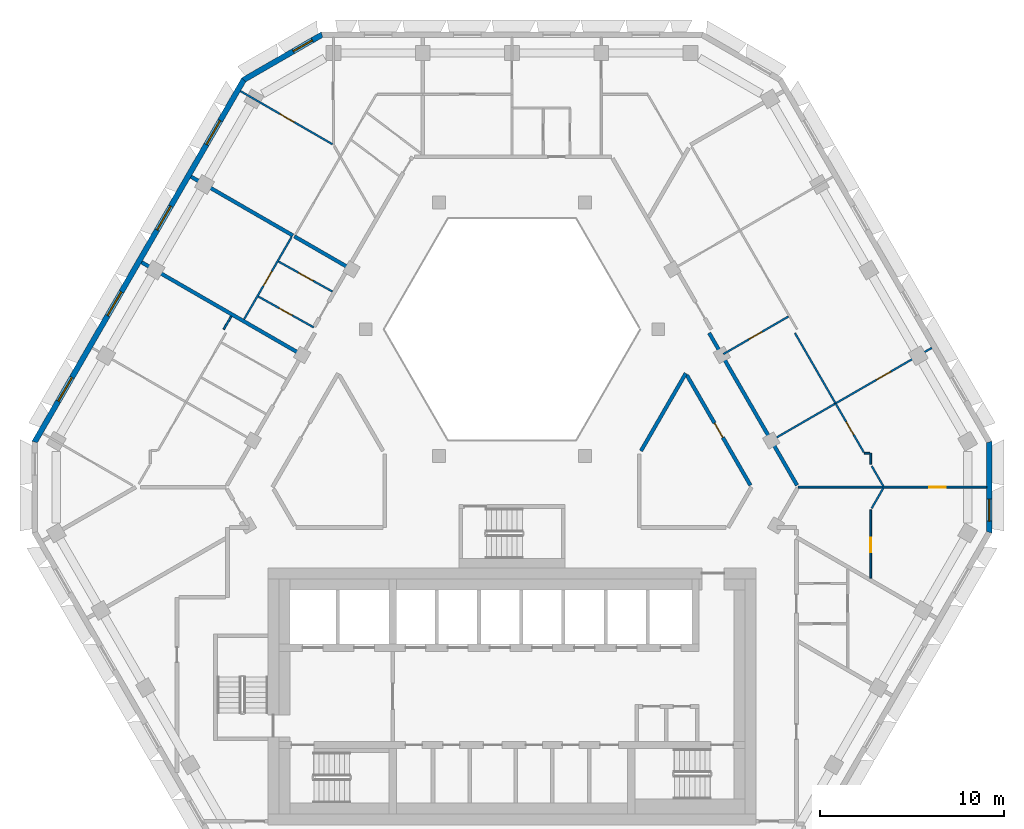
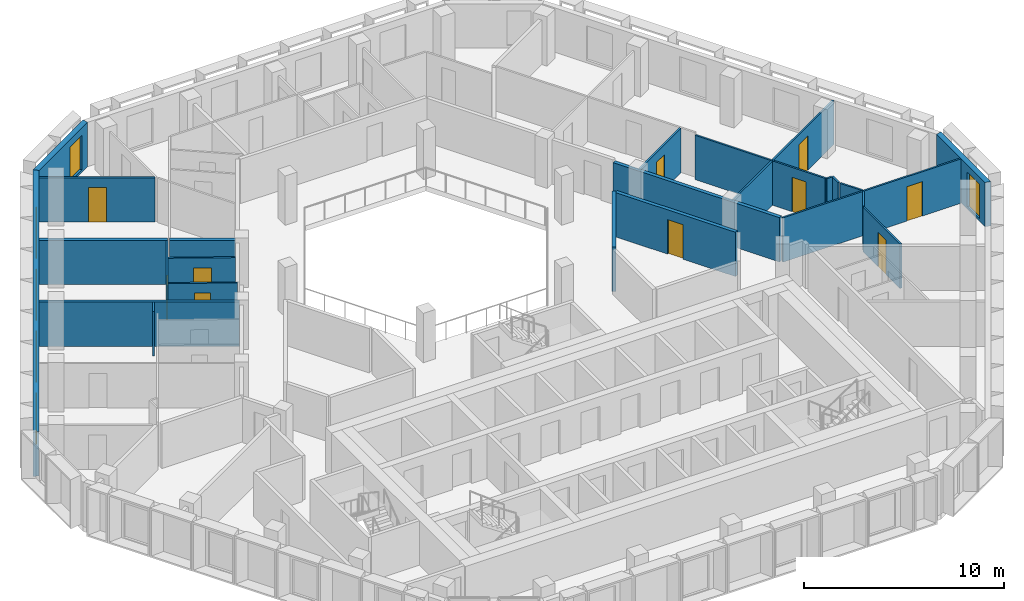
# One storey, part 6 of 15: 24 walls, 10 doors, 6 windows, 16 openings.
"""IFC4 building model written with IfcOpenShell, lengths in metres."""

from ifc_helpers import new_model, si_unit, direction, frame, frame_2d, origin, place, context, subcontext, project, spatial, polyline, rectangle, outline, extrude, material, layer, layer_set, type_object, element, fill, save


model = new_model("IFC4")

# Units and contexts
model_context = context("Model", 3, precision=1e-05, world=origin(), true_north=direction((0.0, 1.0)))
body_context = subcontext(model_context, "Body", "Model", "MODEL_VIEW")
ifc_project = project(units=[si_unit("LENGTHUNIT", "METRE"), si_unit("AREAUNIT", "SQUARE_METRE"), si_unit("VOLUMEUNIT", "CUBIC_METRE"), si_unit("PLANEANGLEUNIT", "RADIAN"), si_unit("MASSUNIT", "GRAM", prefix="KILO")], contexts=[model_context])

# Site, building, storey
site_placement = place(None, origin())
site = spatial("IfcSite", under=ifc_project, at=site_placement, CompositionType="ELEMENT")
building_placement = place(site_placement, origin())
building = spatial("IfcBuilding", under=site, at=building_placement, Name="Beryl Residences", CompositionType="ELEMENT")
storey_placement = place(building_placement, frame((0.0, 0.0, 175.199951171875)))
storey = spatial("IfcBuildingStorey", under=building, at=storey_placement, Name="L53", CompositionType="ELEMENT", Elevation=175.199951171875)

# Wall, opening, window
ifc_material_1 = material(Name="Composite metal panel with mineral wool insulation")
ifc_layer_1 = layer(ifc_material_1, 0.300048828125)
ifc_layer_set_1 = layer_set([ifc_layer_1], Name="ES1 pale metal composite panel wall 300 mm")
wall_type_1 = type_object("IfcWallType", Name="ES1 pale metal composite panel wall 300 mm", PredefinedType="SOLIDWALL", material=ifc_layer_set_1)
wall_1_placement = place(storey_placement, frame((-10.31689453125, 24.070068359375, 0.0), z_axis=(0.0, 0.0, 1.0), x_axis=(-0.866022959057, -0.500004234368, 0.0)))
wall_1 = element("IfcWall", 1, at=wall_1_placement, inside=storey, type_object=wall_type_1, Name="ES1 external wall L53 N-NW", PredefinedType="SOLIDWALL", context=body_context, shape_type="SweptSolid", body=[
    extrude(outline(polyline([(0.0, -0.14990234375), (5.0, -0.14990234375), (4.919677734375, 0.14990234375), (0.080322265625, 0.14990234375), (0.0, -0.14990234375)])), origin(), (0.0, 0.0, 1.0), 2.699951171875),
])
opening_1_placement = place(wall_1_placement, frame((0.64990234375, 0.0, 0.14990234375)))
opening_1 = element("IfcOpeningElement", 2, at=opening_1_placement, cuts=wall_1, Name="Opening W2", PredefinedType="OPENING", context=body_context, shape_type="SweptSolid", body=[
    extrude(rectangle(XDim=1.199951171875, YDim=2.10009765625, at=frame_2d((0.60009765625, 1.050048828125))), frame((0.0, 0.159912109375, 0.0), z_axis=(0.0, -1.0, 0.0), x_axis=(1.0, 0.0, 0.0)), (0.0, 0.0, 1.0), 0.320068359375),
])
ifc_material_2 = material(Name="Aluminium and clear glass", Category="aluminium")
window_type_1 = type_object("IfcWindowType", Name="W2 chamfer window 1200 x 2100 mm", PartitioningType="SINGLE_PANEL", PredefinedType="WINDOW", material=ifc_material_2)
window_1_placement = place(opening_1_placement, origin())
window_1 = element("IfcWindow", 3, at=window_1_placement, inside=storey, type_object=window_type_1, Name="W2 window L53 N-NW 1", OverallHeight=2.10009765625, OverallWidth=1.199951171875, PartitioningType="SINGLE_PANEL", PredefinedType="WINDOW", context=body_context, shape_type="SweptSolid", body=[
    extrude(rectangle(XDim=1.199951171875, YDim=2.10009765625, at=frame_2d((0.60009765625, 1.050048828125))), frame((0.0, 0.030029296875, 0.0), z_axis=(0.0, -1.0, 0.0), x_axis=(1.0, 0.0, 0.0)), (0.0, 0.0, 1.0), 0.06005859375),
])
fill(opening_1, window_1)

# Wall, openings, windows
wall_2_placement = place(storey_placement, frame((-14.592041015625, 21.625, 0.0), z_axis=(0.0, 0.0, 1.0), x_axis=(-0.500010537973, -0.866019319597, 0.0)))
wall_2 = element("IfcWall", 4, at=wall_2_placement, inside=storey, type_object=wall_type_1, Name="ES1 external wall L53 NW", PredefinedType="SOLIDWALL", context=body_context, shape_type="SweptSolid", body=[
    extrude(outline(polyline([(0.0, -0.14990234375), (22.86328125, -0.14990234375), (22.782958984375, 0.14990234375), (0.080322265625, 0.14990234375), (0.0, -0.14990234375)])), origin(), (0.0, 0.0, 1.0), 2.699951171875),
])
opening_2_placement = place(wall_2_placement, frame((2.60595703125, 0.0, 0.14990234375)))
opening_2 = element("IfcOpeningElement", 5, at=opening_2_placement, cuts=wall_2, Name="Opening W1", PredefinedType="OPENING", context=body_context, shape_type="SweptSolid", body=[
    extrude(rectangle(XDim=1.5, YDim=2.10009765625, at=frame_2d((0.75, 1.050048828125))), frame((0.0, 0.159912109375, 0.0), z_axis=(0.0, -1.0, 0.0), x_axis=(1.0, 0.0, 0.0)), (0.0, 0.0, 1.0), 0.320068359375),
])
opening_3_placement = place(wall_2_placement, frame((7.989990234375, 0.0, 0.14990234375)))
opening_3 = element("IfcOpeningElement", 6, at=opening_3_placement, cuts=wall_2, Name="Opening W1", PredefinedType="OPENING", context=body_context, shape_type="SweptSolid", body=[
    extrude(rectangle(XDim=1.5, YDim=2.10009765625, at=frame_2d((0.75, 1.050048828125))), frame((0.0, 0.159912109375, 0.0), z_axis=(0.0, -1.0, 0.0), x_axis=(1.0, 0.0, 0.0)), (0.0, 0.0, 1.0), 0.320068359375),
])
opening_4_placement = place(wall_2_placement, frame((13.373046875, 0.0, 0.14990234375)))
opening_4 = element("IfcOpeningElement", 7, at=opening_4_placement, cuts=wall_2, Name="Opening W1", PredefinedType="OPENING", context=body_context, shape_type="SweptSolid", body=[
    extrude(rectangle(XDim=1.5, YDim=2.10009765625, at=frame_2d((0.75, 1.050048828125))), frame((0.0, 0.159912109375, 0.0), z_axis=(0.0, -1.0, 0.0), x_axis=(1.0, 0.0, 0.0)), (0.0, 0.0, 1.0), 0.320068359375),
])
opening_5_placement = place(wall_2_placement, frame((18.758056640625, 0.0, 0.14990234375)))
opening_5 = element("IfcOpeningElement", 8, at=opening_5_placement, cuts=wall_2, Name="Opening W1", PredefinedType="OPENING", context=body_context, shape_type="SweptSolid", body=[
    extrude(rectangle(XDim=1.5, YDim=2.10009765625, at=frame_2d((0.75, 1.050048828125))), frame((0.0, 0.159912109375, 0.0), z_axis=(0.0, -1.0, 0.0), x_axis=(1.0, 0.0, 0.0)), (0.0, 0.0, 1.0), 0.320068359375),
])
ifc_material_3 = material(Name="Aluminium and clear glass", Category="aluminium")
window_type_2 = type_object("IfcWindowType", Name="W1 cell window 1500 x 2100 mm", PartitioningType="SINGLE_PANEL", PredefinedType="WINDOW", material=ifc_material_3)
window_2_placement = place(opening_2_placement, origin())
window_2 = element("IfcWindow", 9, at=window_2_placement, inside=storey, type_object=window_type_2, Name="W1 window L53 NW 2", OverallHeight=2.10009765625, OverallWidth=1.5, PartitioningType="SINGLE_PANEL", PredefinedType="WINDOW", context=body_context, shape_type="SweptSolid", body=[
    extrude(rectangle(XDim=1.5, YDim=2.10009765625, at=frame_2d((0.75, 1.050048828125))), frame((0.0, 0.030029296875, 0.0), z_axis=(0.0, -1.0, 0.0), x_axis=(1.0, 0.0, 0.0)), (0.0, 0.0, 1.0), 0.06005859375),
])
fill(opening_2, window_2)
window_3_placement = place(opening_3_placement, origin())
window_3 = element("IfcWindow", 10, at=window_3_placement, inside=storey, type_object=window_type_2, Name="W1 window L53 NW 4", OverallHeight=2.10009765625, OverallWidth=1.5, PartitioningType="SINGLE_PANEL", PredefinedType="WINDOW", context=body_context, shape_type="SweptSolid", body=[
    extrude(rectangle(XDim=1.5, YDim=2.10009765625, at=frame_2d((0.75, 1.050048828125))), frame((0.0, 0.030029296875, 0.0), z_axis=(0.0, -1.0, 0.0), x_axis=(1.0, 0.0, 0.0)), (0.0, 0.0, 1.0), 0.06005859375),
])
fill(opening_3, window_3)
window_4_placement = place(opening_4_placement, origin())
window_4 = element("IfcWindow", 11, at=window_4_placement, inside=storey, type_object=window_type_2, Name="W1 window L53 NW 6", OverallHeight=2.10009765625, OverallWidth=1.5, PartitioningType="SINGLE_PANEL", PredefinedType="WINDOW", context=body_context, shape_type="SweptSolid", body=[
    extrude(rectangle(XDim=1.5, YDim=2.10009765625, at=frame_2d((0.75, 1.050048828125))), frame((0.0, 0.030029296875, 0.0), z_axis=(0.0, -1.0, 0.0), x_axis=(1.0, 0.0, 0.0)), (0.0, 0.0, 1.0), 0.06005859375),
])
fill(opening_4, window_4)
window_5_placement = place(opening_5_placement, origin())
window_5 = element("IfcWindow", 12, at=window_5_placement, inside=storey, type_object=window_type_2, Name="W1 window L53 NW 8", OverallHeight=2.10009765625, OverallWidth=1.5, PartitioningType="SINGLE_PANEL", PredefinedType="WINDOW", context=body_context, shape_type="SweptSolid", body=[
    extrude(rectangle(XDim=1.5, YDim=2.10009765625, at=frame_2d((0.75, 1.050048828125))), frame((0.0, 0.030029296875, 0.0), z_axis=(0.0, -1.0, 0.0), x_axis=(1.0, 0.0, 0.0)), (0.0, 0.0, 1.0), 0.06005859375),
])
fill(opening_5, window_5)

# Wall, opening, window
wall_3_placement = place(storey_placement, frame((26.00390625, -3.10009765625, 0.0), z_axis=(0.0, 0.0, 1.0), x_axis=(0.0, 1.0, 0.0)))
wall_3 = element("IfcWall", 13, at=wall_3_placement, inside=storey, type_object=wall_type_1, Name="ES1 external wall L53 SE-NE", PredefinedType="SOLIDWALL", context=body_context, shape_type="SweptSolid", body=[
    extrude(outline(polyline([(0.0, -0.14990234375), (5.0, -0.14990234375), (4.919677734375, 0.14990234375), (0.080322265625, 0.14990234375), (0.0, -0.14990234375)])), origin(), (0.0, 0.0, 1.0), 2.699951171875),
])
opening_6_placement = place(wall_3_placement, frame((0.64990234375, 0.0, 0.14990234375)))
opening_6 = element("IfcOpeningElement", 14, at=opening_6_placement, cuts=wall_3, Name="Opening W2", PredefinedType="OPENING", context=body_context, shape_type="SweptSolid", body=[
    extrude(rectangle(XDim=1.199951171875, YDim=2.10009765625, at=frame_2d((0.60009765625, 1.050048828125))), frame((0.0, 0.159912109375, 0.0), z_axis=(0.0, -1.0, 0.0), x_axis=(1.0, 0.0, 0.0)), (0.0, 0.0, 1.0), 0.320068359375),
])
window_6_placement = place(opening_6_placement, origin())
window_6 = element("IfcWindow", 15, at=window_6_placement, inside=storey, type_object=window_type_1, Name="W2 window L53 SE-NE 1", OverallHeight=2.10009765625, OverallWidth=1.199951171875, PartitioningType="SINGLE_PANEL", PredefinedType="WINDOW", context=body_context, shape_type="SweptSolid", body=[
    extrude(rectangle(XDim=1.199951171875, YDim=2.10009765625, at=frame_2d((0.60009765625, 1.050048828125))), frame((0.0, 0.030029296875, 0.0), z_axis=(0.0, -1.0, 0.0), x_axis=(1.0, 0.0, 0.0)), (0.0, 0.0, 1.0), 0.06005859375),
])
fill(opening_6, window_6)

# Walls
ifc_material_4 = material(Name="Gypsum board partition on steel studs", Category="steel")
ifc_layer_2 = layer(ifc_material_4, 0.10009765625)
ifc_layer_set_2 = layer_set([ifc_layer_2], Name="PT1 partition 100 mm gypsum board on steel studs")
wall_type_2 = type_object("IfcWallType", Name="PT1 partition 100 mm gypsum board on steel studs", PredefinedType="PARTITIONING", material=ifc_layer_set_2)
wall_4_placement = place(storey_placement, frame((15.412109375, 7.800048828125, 0.0), z_axis=(0.0, 0.0, 1.0), x_axis=(0.499882970317, -0.866092960361, 0.0)))
element("IfcWall", 16, at=wall_4_placement, inside=storey, type_object=wall_type_2, Name="Wall PT1 L53 003", PredefinedType="PARTITIONING", context=body_context, shape_type="SweptSolid", body=[
    extrude(rectangle(XDim=4.4326171875, YDim=0.10009765625, at=frame_2d((2.21630859375, 0.0))), origin(), (0.0, 0.0, 1.0), 2.699951171875),
])
wall_5_placement = place(storey_placement, frame((19.596923828125, 0.551025390625, 0.0), z_axis=(0.0, 0.0, 1.0), x_axis=(0.499922110319, -0.866070368743, 0.0)))
element("IfcWall", 17, at=wall_5_placement, inside=storey, type_object=wall_type_2, Name="Wall PT1 L53 004", PredefinedType="PARTITIONING", context=body_context, shape_type="SweptSolid", body=[
    extrude(rectangle(XDim=1.270263671875, YDim=0.10009765625, at=frame_2d((0.63525390625, 0.0))), origin(), (0.0, 0.0, 1.0), 2.699951171875),
])

# Wall, opening, door
wall_6_placement = place(storey_placement, frame((-12.720947265625, 11.69189453125, 0.0), z_axis=(0.0, 0.0, 1.0), x_axis=(0.873557394398, -0.486721150859, 0.0)))
wall_6 = element("IfcWall", 18, at=wall_6_placement, inside=storey, type_object=wall_type_2, Name="Wall PT1 L53 008", PredefinedType="PARTITIONING", context=body_context, shape_type="SweptSolid", body=[
    extrude(rectangle(XDim=3.36328125, YDim=0.10009765625, at=frame_2d((1.681640625, 0.0))), origin(), (0.0, 0.0, 1.0), 2.699951171875),
])
opening_7_placement = place(wall_6_placement, frame((1.257080078125, 0.0, 0.0)))
opening_7 = element("IfcOpeningElement", 19, at=opening_7_placement, cuts=wall_6, Name="Opening D1640", PredefinedType="OPENING", context=body_context, shape_type="SweptSolid", body=[
    extrude(rectangle(XDim=0.89990234375, YDim=2.10009765625, at=frame_2d((0.449951171875, 1.050048828125))), frame((0.0, 0.06005859375, 0.0), z_axis=(0.0, -1.0, 0.0), x_axis=(1.0, 0.0, 0.0)), (0.0, 0.0, 1.0), 0.1201171875),
])
ifc_material_5 = material(Name="Timber door leaf", Category="wood")
door_type_1 = type_object("IfcDoorType", Name="D2 room door 900 x 2100 mm", OperationType="SINGLE_SWING_LEFT", PredefinedType="DOOR", material=ifc_material_5)
door_1_placement = place(opening_7_placement, origin())
door_1 = element("IfcDoor", 20, at=door_1_placement, inside=storey, type_object=door_type_1, Name="Door D1640 L53 001", OperationType="SINGLE_SWING_RIGHT", OverallHeight=2.10009765625, OverallWidth=0.89990234375, PredefinedType="DOOR", context=body_context, shape_type="SweptSolid", body=[
    extrude(rectangle(XDim=0.89990234375, YDim=2.10009765625, at=frame_2d((0.449951171875, 1.050048828125))), frame((0.0, 0.02490234375, 0.0), z_axis=(0.0, -1.0, 0.0), x_axis=(1.0, 0.0, 0.0)), (0.0, 0.0, 1.0), 0.050048828125),
])
fill(opening_7, door_1)

wall_7_placement = place(storey_placement, frame((-13.821044921875, 9.785888671875, 0.0), z_axis=(0.0, 0.0, 1.0), x_axis=(0.873644620966, -0.486564565353, 0.0)))
wall_7 = element("IfcWall", 21, at=wall_7_placement, inside=storey, type_object=wall_type_2, Name="Wall PT1 L53 009", PredefinedType="PARTITIONING", context=body_context, shape_type="SweptSolid", body=[
    extrude(rectangle(XDim=3.462646484375, YDim=0.10009765625, at=frame_2d((1.7314453125, 0.0))), origin(), (0.0, 0.0, 1.0), 2.699951171875),
])
opening_8_placement = place(wall_7_placement, frame((1.306884765625, 0.0, 0.0)))
opening_8 = element("IfcOpeningElement", 22, at=opening_8_placement, cuts=wall_7, Name="Opening D1639", PredefinedType="OPENING", context=body_context, shape_type="SweptSolid", body=[
    extrude(rectangle(XDim=0.800048828125, YDim=2.10009765625, at=frame_2d((0.39990234375, 1.050048828125))), frame((0.0, 0.06005859375, 0.0), z_axis=(0.0, -1.0, 0.0), x_axis=(1.0, 0.0, 0.0)), (0.0, 0.0, 1.0), 0.1201171875),
])
ifc_material_6 = material(Name="Timber door leaf", Category="wood")
door_type_2 = type_object("IfcDoorType", Name="D3 bathroom door 800 x 2100 mm", OperationType="SINGLE_SWING_LEFT", PredefinedType="DOOR", material=ifc_material_6)
door_2_placement = place(opening_8_placement, origin())
door_2 = element("IfcDoor", 23, at=door_2_placement, inside=storey, type_object=door_type_2, Name="Door D1639 L53 001", OperationType="SINGLE_SWING_LEFT", OverallHeight=2.10009765625, OverallWidth=0.800048828125, PredefinedType="DOOR", context=body_context, shape_type="SweptSolid", body=[
    extrude(rectangle(XDim=0.800048828125, YDim=2.10009765625, at=frame_2d((0.39990234375, 1.050048828125))), frame((0.0, 0.02490234375, 0.0), z_axis=(0.0, -1.0, 0.0), x_axis=(1.0, 0.0, 0.0)), (0.0, 0.0, 1.0), 0.050048828125),
])
fill(opening_8, door_2)

wall_8_placement = place(storey_placement, frame((-14.7939453125, 20.97509765625, 0.0), z_axis=(0.0, 0.0, 1.0), x_axis=(0.866019221245, -0.500010708319, 0.0)))
wall_8 = element("IfcWall", 24, at=wall_8_placement, inside=storey, type_object=wall_type_2, Name="Wall PT1 L53 014", PredefinedType="PARTITIONING", context=body_context, shape_type="SweptSolid", body=[
    extrude(rectangle(XDim=5.791748046875, YDim=0.10009765625, at=frame_2d((2.89599609375, 0.0))), origin(), (0.0, 0.0, 1.0), 2.699951171875),
])
opening_9_placement = place(wall_8_placement, frame((2.47509765625, 0.0, 0.0)))
opening_9 = element("IfcOpeningElement", 25, at=opening_9_placement, cuts=wall_8, Name="Opening D1636", PredefinedType="OPENING", context=body_context, shape_type="SweptSolid", body=[
    extrude(rectangle(XDim=0.89990234375, YDim=2.10009765625, at=frame_2d((0.449951171875, 1.050048828125))), frame((0.0, 0.06005859375, 0.0), z_axis=(0.0, -1.0, 0.0), x_axis=(1.0, 0.0, 0.0)), (0.0, 0.0, 1.0), 0.1201171875),
])
door_3_placement = place(opening_9_placement, origin())
door_3 = element("IfcDoor", 26, at=door_3_placement, inside=storey, type_object=door_type_1, Name="Door D1636 L53 001", OperationType="SINGLE_SWING_RIGHT", OverallHeight=2.10009765625, OverallWidth=0.89990234375, PredefinedType="DOOR", context=body_context, shape_type="SweptSolid", body=[
    extrude(rectangle(XDim=0.89990234375, YDim=2.10009765625, at=frame_2d((0.449951171875, 1.050048828125))), frame((0.0, 0.02490234375, 0.0), z_axis=(0.0, -1.0, 0.0), x_axis=(1.0, 0.0, 0.0)), (0.0, 0.0, 1.0), 0.050048828125),
])
fill(opening_9, door_3)

wall_9_placement = place(storey_placement, frame((15.587890625, -0.59912109375, 0.0), z_axis=(0.0, 0.0, 1.0), x_axis=(1.0, 0.0, 0.0)))
wall_9 = element("IfcWall", 27, at=wall_9_placement, inside=storey, type_object=wall_type_2, Name="Wall PT1 L53 018", PredefinedType="PARTITIONING", context=body_context, shape_type="SweptSolid", body=[
    extrude(rectangle(XDim=10.26611328125, YDim=0.10009765625, at=frame_2d((5.133056640625, 0.0))), origin(), (0.0, 0.0, 1.0), 2.699951171875),
])
opening_10_placement = place(wall_9_placement, frame((7.135009765625, 0.0, 0.0)))
opening_10 = element("IfcOpeningElement", 28, at=opening_10_placement, cuts=wall_9, Name="Opening D1621", PredefinedType="OPENING", context=body_context, shape_type="SweptSolid", body=[
    extrude(rectangle(XDim=0.89990234375, YDim=2.10009765625, at=frame_2d((0.449951171875, 1.050048828125))), frame((0.0, 0.06005859375, 0.0), z_axis=(0.0, -1.0, 0.0), x_axis=(1.0, 0.0, 0.0)), (0.0, 0.0, 1.0), 0.1201171875),
])
door_4_placement = place(opening_10_placement, origin())
door_4 = element("IfcDoor", 29, at=door_4_placement, inside=storey, type_object=door_type_1, Name="Door D1621 L53 001", OperationType="SINGLE_SWING_LEFT", OverallHeight=2.10009765625, OverallWidth=0.89990234375, PredefinedType="DOOR", context=body_context, shape_type="SweptSolid", body=[
    extrude(rectangle(XDim=0.89990234375, YDim=2.10009765625, at=frame_2d((0.449951171875, 1.050048828125))), frame((0.0, 0.02490234375, 0.0), z_axis=(0.0, -1.0, 0.0), x_axis=(1.0, 0.0, 0.0)), (0.0, 0.0, 1.0), 0.050048828125),
])
fill(opening_10, door_4)

# Walls
wall_10_placement = place(storey_placement, frame((19.195068359375, 1.2470703125, 0.0), z_axis=(0.0, 0.0, 1.0), x_axis=(1.0, 0.0, 0.0)))
element("IfcWall", 30, at=wall_10_placement, inside=storey, type_object=wall_type_2, Name="Wall PT1 L53 020", PredefinedType="PARTITIONING", context=body_context, shape_type="SweptSolid", body=[
    extrude(rectangle(XDim=0.302001953125, YDim=0.10009765625, at=frame_2d((0.15087890625, 0.0))), origin(), (0.0, 0.0, 1.0), 2.699951171875),
])
wall_11_placement = place(storey_placement, frame((19.596923828125, -1.75, 0.0), z_axis=(0.0, 0.0, 1.0), x_axis=(0.499589422776, 0.866262320923, 0.0)))
element("IfcWall", 31, at=wall_11_placement, inside=storey, type_object=wall_type_2, Name="Wall PT1 L53 025", PredefinedType="PARTITIONING", context=body_context, shape_type="SweptSolid", body=[
    extrude(rectangle(XDim=1.27099609375, YDim=0.10009765625, at=frame_2d((0.635498046875, 0.0))), origin(), (0.0, 0.0, 1.0), 2.699951171875),
])

# Wall, opening, door
wall_12_placement = place(storey_placement, frame((-14.596923828125, 8.54296875, 0.0), z_axis=(0.0, 0.0, 1.0), x_axis=(0.499962957901, 0.866046788994, 0.0)))
wall_12 = element("IfcWall", 32, at=wall_12_placement, inside=storey, type_object=wall_type_2, Name="Wall PT1 L53 027", PredefinedType="PARTITIONING", context=body_context, shape_type="SweptSolid", body=[
    extrude(rectangle(XDim=5.1845703125, YDim=0.10009765625, at=frame_2d((2.59228515625, 0.0))), origin(), (0.0, 0.0, 1.0), 2.699951171875),
])
opening_11_placement = place(wall_12_placement, frame((2.113037109375, 0.0, 0.0)))
opening_11 = element("IfcOpeningElement", 33, at=opening_11_placement, cuts=wall_12, Name="Opening D1641", PredefinedType="OPENING", context=body_context, shape_type="SweptSolid", body=[
    extrude(rectangle(XDim=0.89990234375, YDim=2.10009765625, at=frame_2d((0.449951171875, 1.050048828125))), frame((0.0, 0.06005859375, 0.0), z_axis=(0.0, -1.0, 0.0), x_axis=(1.0, 0.0, 0.0)), (0.0, 0.0, 1.0), 0.1201171875),
])
door_5_placement = place(opening_11_placement, origin())
door_5 = element("IfcDoor", 34, at=door_5_placement, inside=storey, type_object=door_type_1, Name="Door D1641 L53 001", OperationType="SINGLE_SWING_LEFT", OverallHeight=2.10009765625, OverallWidth=0.89990234375, PredefinedType="DOOR", context=body_context, shape_type="SweptSolid", body=[
    extrude(rectangle(XDim=0.89990234375, YDim=2.10009765625, at=frame_2d((0.449951171875, 1.050048828125))), frame((0.0, 0.02490234375, 0.0), z_axis=(0.0, -1.0, 0.0), x_axis=(1.0, 0.0, 0.0)), (0.0, 0.0, 1.0), 0.050048828125),
])
fill(opening_11, door_5)

# Wall
wall_13_placement = place(storey_placement, frame((-15.7041015625, 8.0, 0.0), z_axis=(0.0, 0.0, 1.0), x_axis=(0.499833531678, 0.866121492985, 0.0)))
element("IfcWall", 35, at=wall_13_placement, inside=storey, type_object=wall_type_2, Name="Wall PT1 L53 030", PredefinedType="PARTITIONING", context=body_context, shape_type="SweptSolid", body=[
    extrude(rectangle(XDim=0.824462890625, YDim=0.10009765625, at=frame_2d((0.412109375, 0.0))), origin(), (0.0, 0.0, 1.0), 2.699951171875),
])

# Wall, opening, door
wall_14_placement = place(storey_placement, frame((19.547119140625, -5.554931640625, 0.0), z_axis=(0.0, 0.0, 1.0), x_axis=(0.0, 1.0, 0.0)))
wall_14 = element("IfcWall", 36, at=wall_14_placement, inside=storey, type_object=wall_type_2, Name="Wall PT1 L53 034", PredefinedType="PARTITIONING", context=body_context, shape_type="SweptSolid", body=[
    extrude(rectangle(XDim=3.718994140625, YDim=0.10009765625, at=frame_2d((1.859375, 0.0))), origin(), (0.0, 0.0, 1.0), 2.699951171875),
])
opening_12_placement = place(wall_14_placement, frame((1.402099609375, 0.0, 0.0)))
opening_12 = element("IfcOpeningElement", 37, at=opening_12_placement, cuts=wall_14, Name="Opening D1623", PredefinedType="OPENING", context=body_context, shape_type="SweptSolid", body=[
    extrude(rectangle(XDim=0.800048828125, YDim=2.10009765625, at=frame_2d((0.39990234375, 1.050048828125))), frame((0.0, 0.06005859375, 0.0), z_axis=(0.0, -1.0, 0.0), x_axis=(1.0, 0.0, 0.0)), (0.0, 0.0, 1.0), 0.1201171875),
])
door_6_placement = place(opening_12_placement, origin())
door_6 = element("IfcDoor", 38, at=door_6_placement, inside=storey, type_object=door_type_2, Name="Door D1623 L53 001", OperationType="SINGLE_SWING_LEFT", OverallHeight=2.10009765625, OverallWidth=0.800048828125, PredefinedType="DOOR", context=body_context, shape_type="SweptSolid", body=[
    extrude(rectangle(XDim=0.800048828125, YDim=2.10009765625, at=frame_2d((0.39990234375, 1.050048828125))), frame((0.0, 0.02490234375, 0.0), z_axis=(0.0, -1.0, 0.0), x_axis=(1.0, 0.0, 0.0)), (0.0, 0.0, 1.0), 0.050048828125),
])
fill(opening_12, door_6)

# Wall
wall_15_placement = place(storey_placement, frame((19.547119140625, 0.637939453125, 0.0), z_axis=(0.0, 0.0, 1.0), x_axis=(0.0, 1.0, 0.0)))
element("IfcWall", 39, at=wall_15_placement, inside=storey, type_object=wall_type_2, Name="Wall PT1 L53 035", PredefinedType="PARTITIONING", context=body_context, shape_type="SweptSolid", body=[
    extrude(rectangle(XDim=0.609130859375, YDim=0.10009765625, at=frame_2d((0.3046875, 0.0))), origin(), (0.0, 0.0, 1.0), 2.699951171875),
])

# Wall, opening, door
wall_16_placement = place(storey_placement, frame((14.2099609375, 1.987060546875, 0.0), z_axis=(0.0, 0.0, 1.0), x_axis=(0.866022959057, 0.500004234368, 0.0)))
wall_16 = element("IfcWall", 40, at=wall_16_placement, inside=storey, type_object=wall_type_2, Name="Wall PT1 L53 040", PredefinedType="PARTITIONING", context=body_context, shape_type="SweptSolid", body=[
    extrude(rectangle(XDim=10.0, YDim=0.10009765625, at=frame_2d((5.0, 0.0))), origin(), (0.0, 0.0, 1.0), 2.699951171875),
])
opening_13_placement = place(wall_16_placement, frame((6.52294921875, 0.0, 0.0)))
opening_13 = element("IfcOpeningElement", 41, at=opening_13_placement, cuts=wall_16, Name="Opening D1619", PredefinedType="OPENING", context=body_context, shape_type="SweptSolid", body=[
    extrude(rectangle(XDim=0.89990234375, YDim=2.10009765625, at=frame_2d((0.449951171875, 1.050048828125))), frame((0.0, 0.06005859375, 0.0), z_axis=(0.0, -1.0, 0.0), x_axis=(1.0, 0.0, 0.0)), (0.0, 0.0, 1.0), 0.1201171875),
])
door_7_placement = place(opening_13_placement, origin())
door_7 = element("IfcDoor", 42, at=door_7_placement, inside=storey, type_object=door_type_1, Name="Door D1619 L53 001", OperationType="SINGLE_SWING_LEFT", OverallHeight=2.10009765625, OverallWidth=0.89990234375, PredefinedType="DOOR", context=body_context, shape_type="SweptSolid", body=[
    extrude(rectangle(XDim=0.89990234375, YDim=2.10009765625, at=frame_2d((0.449951171875, 1.050048828125))), frame((0.0, 0.02490234375, 0.0), z_axis=(0.0, -1.0, 0.0), x_axis=(1.0, 0.0, 0.0)), (0.0, 0.0, 1.0), 0.050048828125),
])
fill(opening_13, door_7)

wall_17_placement = place(storey_placement, frame((11.51806640625, 6.64990234375, 0.0), z_axis=(0.0, 0.0, 1.0), x_axis=(0.865949381454, 0.500131651427, 0.0)))
wall_17 = element("IfcWall", 43, at=wall_17_placement, inside=storey, type_object=wall_type_2, Name="Wall PT1 L53 041", PredefinedType="PARTITIONING", context=body_context, shape_type="SweptSolid", body=[
    extrude(rectangle(XDim=4.09716796875, YDim=0.10009765625, at=frame_2d((2.048583984375, 0.0))), origin(), (0.0, 0.0, 1.0), 2.699951171875),
])
opening_14_placement = place(wall_17_placement, frame((1.623046875, 0.0, 0.0)))
opening_14 = element("IfcOpeningElement", 44, at=opening_14_placement, cuts=wall_17, Name="Opening D1617", PredefinedType="OPENING", context=body_context, shape_type="SweptSolid", body=[
    extrude(rectangle(XDim=0.800048828125, YDim=2.10009765625, at=frame_2d((0.39990234375, 1.050048828125))), frame((0.0, 0.06005859375, 0.0), z_axis=(0.0, -1.0, 0.0), x_axis=(1.0, 0.0, 0.0)), (0.0, 0.0, 1.0), 0.1201171875),
])
door_8_placement = place(opening_14_placement, origin())
door_8 = element("IfcDoor", 45, at=door_8_placement, inside=storey, type_object=door_type_2, Name="Door D1617 L53 001", OperationType="SINGLE_SWING_LEFT", OverallHeight=2.10009765625, OverallWidth=0.800048828125, PredefinedType="DOOR", context=body_context, shape_type="SweptSolid", body=[
    extrude(rectangle(XDim=0.800048828125, YDim=2.10009765625, at=frame_2d((0.39990234375, 1.050048828125))), frame((0.0, 0.02490234375, 0.0), z_axis=(0.0, -1.0, 0.0), x_axis=(1.0, 0.0, 0.0)), (0.0, 0.0, 1.0), 0.050048828125),
])
fill(opening_14, door_8)

wall_18_placement = place(storey_placement, frame((17.6279296875, 3.9609375, 0.0), z_axis=(0.0, 0.0, 1.0), x_axis=(0.50003162148, -0.866007146345, 0.0)))
wall_18 = element("IfcWall", 46, at=wall_18_placement, inside=storey, type_object=wall_type_2, Name="Wall PT1 L53 044", PredefinedType="PARTITIONING", context=body_context, shape_type="SweptSolid", body=[
    extrude(rectangle(XDim=3.075927734375, YDim=0.10009765625, at=frame_2d((1.5380859375, 0.0))), origin(), (0.0, 0.0, 1.0), 2.699951171875),
])
opening_15_placement = place(wall_18_placement, frame((1.1669921875, 0.0, 0.0)))
opening_15 = element("IfcOpeningElement", 47, at=opening_15_placement, cuts=wall_18, Name="Opening D1622", PredefinedType="OPENING", context=body_context, shape_type="SweptSolid", body=[
    extrude(rectangle(XDim=0.800048828125, YDim=2.10009765625, at=frame_2d((0.39990234375, 1.050048828125))), frame((0.0, 0.06005859375, 0.0), z_axis=(0.0, -1.0, 0.0), x_axis=(1.0, 0.0, 0.0)), (0.0, 0.0, 1.0), 0.1201171875),
])
door_9_placement = place(opening_15_placement, origin())
door_9 = element("IfcDoor", 48, at=door_9_placement, inside=storey, type_object=door_type_2, Name="Door D1622 L53 001", OperationType="SINGLE_SWING_RIGHT", OverallHeight=2.10009765625, OverallWidth=0.800048828125, PredefinedType="DOOR", context=body_context, shape_type="SweptSolid", body=[
    extrude(rectangle(XDim=0.800048828125, YDim=2.10009765625, at=frame_2d((0.39990234375, 1.050048828125))), frame((0.0, 0.02490234375, 0.0), z_axis=(0.0, -1.0, 0.0), x_axis=(1.0, 0.0, 0.0)), (0.0, 0.0, 1.0), 0.050048828125),
])
fill(opening_15, door_9)

# Walls
ifc_material_7 = material(Name="Acoustic double stud gypsum board wall")
ifc_layer_3 = layer(ifc_material_7, 0.199951171875)
ifc_layer_set_3 = layer_set([ifc_layer_3], Name="PT3 party wall 200 mm acoustic double stud")
wall_type_3 = type_object("IfcWallType", Name="PT3 party wall 200 mm acoustic double stud", PredefinedType="PARTITIONING", material=ifc_layer_set_3)
wall_19_placement = place(storey_placement, frame((-20.177978515625, 11.64990234375, 0.0), z_axis=(0.0, 0.0, 1.0), x_axis=(0.866016855193, -0.500014806302, 0.0)))
element("IfcWall", 49, at=wall_19_placement, inside=storey, type_object=wall_type_3, Name="Wall PT3 L53 002", PredefinedType="PARTITIONING", context=body_context, shape_type="SweptSolid", body=[
    extrude(rectangle(XDim=9.999755859375, YDim=0.199951171875, at=frame_2d((5.0, 0.0))), origin(), (0.0, 0.0, 1.0), 2.699951171875),
])
wall_20_placement = place(storey_placement, frame((-17.486083984375, 16.31298828125, 0.0), z_axis=(0.0, 0.0, 1.0), x_axis=(0.866002210665, -0.500040169509, 0.0)))
element("IfcWall", 50, at=wall_20_placement, inside=storey, type_object=wall_type_3, Name="Wall PT3 L53 005", PredefinedType="PARTITIONING", context=body_context, shape_type="SweptSolid", body=[
    extrude(rectangle(XDim=6.40771484375, YDim=0.199951171875, at=frame_2d((3.203857421875, 0.0))), origin(), (0.0, 0.0, 1.0), 2.699951171875),
])
wall_21_placement = place(storey_placement, frame((-11.85595703125, 13.06298828125, 0.0), z_axis=(0.0, 0.0, 1.0), x_axis=(0.865966208357, -0.500102515474, 0.0)))
element("IfcWall", 51, at=wall_21_placement, inside=storey, type_object=wall_type_3, Name="Wall PT3 L53 006", PredefinedType="PARTITIONING", context=body_context, shape_type="SweptSolid", body=[
    extrude(rectangle(XDim=3.299072265625, YDim=0.199951171875, at=frame_2d((1.6494140625, 0.0))), origin(), (0.0, 0.0, 1.0), 2.699951171875),
])

# Wall, opening, door
ifc_material_8 = material(Name="Double stud gypsum board wall")
ifc_layer_4 = layer(ifc_material_8, 0.199951171875)
ifc_layer_set_4 = layer_set([ifc_layer_4], Name="PT4 corridor wall 200 mm double stud")
wall_type_4 = type_object("IfcWallType", Name="PT4 corridor wall 200 mm double stud", PredefinedType="PARTITIONING", material=ifc_layer_set_4)
wall_22_placement = place(storey_placement, frame((9.52587890625, 5.5, 0.0), z_axis=(0.0, 0.0, 1.0), x_axis=(0.500062092869, -0.865989551482, 0.0)))
wall_22 = element("IfcWall", 52, at=wall_22_placement, inside=storey, type_object=wall_type_4, Name="Wall PT4 L53 004", PredefinedType="PARTITIONING", context=body_context, shape_type="SweptSolid", body=[
    extrude(rectangle(XDim=6.92724609375, YDim=0.199951171875, at=frame_2d((3.463623046875, 0.0))), origin(), (0.0, 0.0, 1.0), 2.699951171875),
])
opening_16_placement = place(wall_22_placement, frame((3.013916015625, 0.0, 0.0)))
opening_16 = element("IfcOpeningElement", 53, at=opening_16_placement, cuts=wall_22, Name="Opening D1643", PredefinedType="OPENING", context=body_context, shape_type="SweptSolid", body=[
    extrude(rectangle(XDim=0.89990234375, YDim=2.10009765625, at=frame_2d((0.449951171875, 1.050048828125))), frame((0.0, 0.10986328125, 0.0), z_axis=(0.0, -1.0, 0.0), x_axis=(1.0, 0.0, 0.0)), (0.0, 0.0, 1.0), 0.219970703125),
])
door_10_placement = place(opening_16_placement, origin())
door_10 = element("IfcDoor", 54, at=door_10_placement, inside=storey, type_object=door_type_1, Name="Door D1643 L53 001", OperationType="SINGLE_SWING_LEFT", OverallHeight=2.10009765625, OverallWidth=0.89990234375, PredefinedType="DOOR", context=body_context, shape_type="SweptSolid", body=[
    extrude(rectangle(XDim=0.89990234375, YDim=2.10009765625, at=frame_2d((0.449951171875, 1.050048828125))), frame((0.0, 0.02490234375, 0.0), z_axis=(0.0, -1.0, 0.0), x_axis=(1.0, 0.0, 0.0)), (0.0, 0.0, 1.0), 0.050048828125),
])
fill(opening_16, door_10)

# Walls
wall_23_placement = place(storey_placement, frame((10.739013671875, 7.800048828125, 0.0), z_axis=(0.0, 0.0, 1.0), x_axis=(0.499964311759, -0.86604600742, 0.0)))
element("IfcWall", 55, at=wall_23_placement, inside=storey, type_object=wall_type_4, Name="Wall PT4 L53 005", PredefinedType="PARTITIONING", context=body_context, shape_type="SweptSolid", body=[
    extrude(rectangle(XDim=9.582763671875, YDim=0.199951171875, at=frame_2d((4.79150390625, 0.0))), origin(), (0.0, 0.0, 1.0), 2.699951171875),
])
wall_24_placement = place(storey_placement, frame((7.028076171875, 1.373046875, 0.0), z_axis=(0.0, 0.0, 1.0), x_axis=(0.500065924398, 0.86598733897, 0.0)))
element("IfcWall", 56, at=wall_24_placement, inside=storey, type_object=wall_type_4, Name="Wall PT4 L53 015", PredefinedType="PARTITIONING", context=body_context, shape_type="SweptSolid", body=[
    extrude(rectangle(XDim=4.881103515625, YDim=0.199951171875, at=frame_2d((2.4404296875, 0.0))), origin(), (0.0, 0.0, 1.0), 2.699951171875),
])

save(model, "model.ifc")
